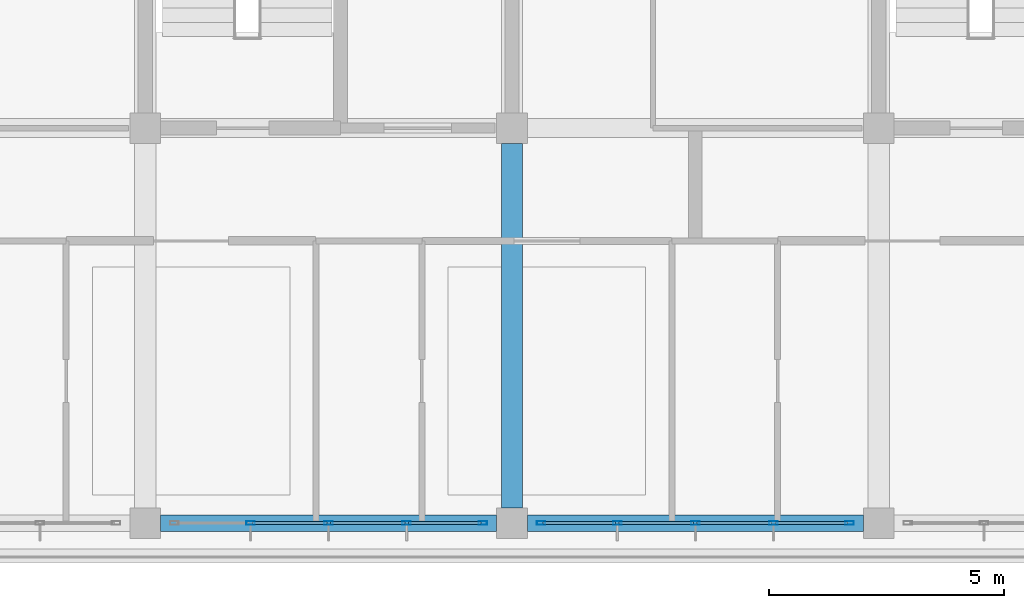
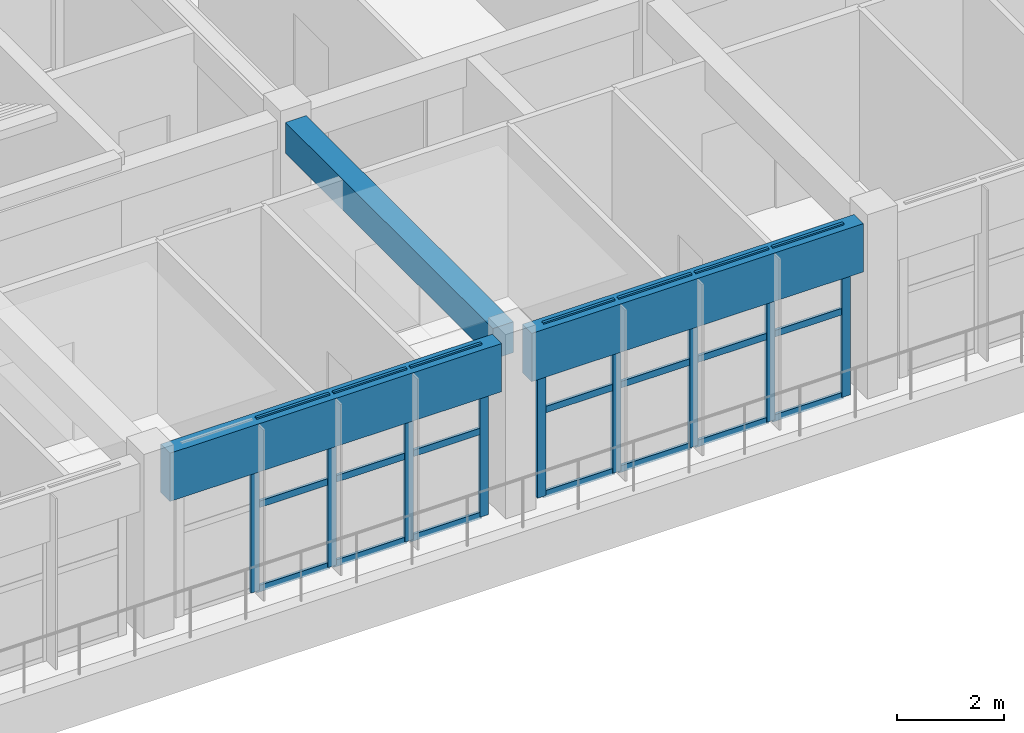
# One storey, part 15 of 63: 30 members, 3 beams, 2 elements without a shape of their own.
"""IFC4 building model written with IfcOpenShell, lengths in metres."""

from ifc_helpers import new_model, si_unit, direction, frame, origin, origin_2d, place, context, subcontext, project, spatial, rectangle, hollow_rectangle, extrude, material, layer, layer_set, material_profile, profile_set, type_object, element, aggregate, save


model = new_model("IFC4")

# Units and contexts
model_context = context("Model", 3, precision=1e-05, world=origin(), true_north=direction((0.0, 1.0)))
body_context = subcontext(model_context, "Body", "Model", "MODEL_VIEW")
ifc_project = project(units=[si_unit("LENGTHUNIT", "METRE"), si_unit("AREAUNIT", "SQUARE_METRE"), si_unit("VOLUMEUNIT", "CUBIC_METRE"), si_unit("PLANEANGLEUNIT", "RADIAN"), si_unit("MASSUNIT", "GRAM", prefix="KILO")], contexts=[model_context])

# Site, building, storey
site_placement = place(None, origin())
site = spatial("IfcSite", under=ifc_project, at=site_placement, CompositionType="ELEMENT")
building_placement = place(site_placement, origin())
building = spatial("IfcBuilding", under=site, at=building_placement, Name="Zizhar Promenade General Hospital", CompositionType="ELEMENT")
storey_placement = place(building_placement, frame((0.0, 0.0, 18.0)))
storey = spatial("IfcBuildingStorey", under=building, at=storey_placement, Name="L04", CompositionType="ELEMENT", Elevation=18.0)

# Beams
ifc_material_1 = material(Name="Precast concrete C40/50", Category="concrete")
ifc_material_profile_1 = material_profile(ifc_material_1, rectangle(XDim=0.35009765625, YDim=1.10009765625, at=origin_2d()))
ifc_profile_set_1 = profile_set([ifc_material_profile_1], Name="Precast concrete C40/50")
beam_type_1 = type_object("IfcBeamType", Name="BM-PC-BAND1100", PredefinedType="SPANDREL", material=ifc_profile_set_1)
beam_1_placement = place(storey_placement, frame((62.72509765625, 0.0, 3.360107421875), z_axis=(1.0, 0.0, 0.0), x_axis=(0.0, 1.0, 0.0)))
element("IfcBeam", 1, at=beam_1_placement, inside=storey, type_object=beam_type_1, Name="Grid Beam X L04 (8-0)", PredefinedType="SPANDREL", context=body_context, shape_type="SweptSolid", body=[
    extrude(rectangle(XDim=0.35009765625, YDim=1.10009765625, at=origin_2d()), origin(), (0.0, 0.0, 1.0), 7.14990234375),
])
beam_2_placement = place(storey_placement, frame((70.52490234375, 0.0, 3.360107421875), z_axis=(1.0, 0.0, 0.0), x_axis=(0.0, 1.0, 0.0)))
element("IfcBeam", 2, at=beam_2_placement, inside=storey, type_object=beam_type_1, Name="Grid Beam X L04 (9-0)", PredefinedType="SPANDREL", context=body_context, shape_type="SweptSolid", body=[
    extrude(rectangle(XDim=0.35009765625, YDim=1.10009765625, at=origin_2d()), origin(), (0.0, 0.0, 1.0), 7.150146484375),
])
ifc_material_2 = material(Name="Concrete C35/45", Category="concrete")
ifc_material_profile_2 = material_profile(ifc_material_2, rectangle(XDim=0.449951171875, YDim=0.699951171875, at=origin_2d()))
ifc_profile_set_2 = profile_set([ifc_material_profile_2], Name="Concrete C35/45")
beam_type_2 = type_object("IfcBeamType", Name="BM-RC-450x700", PredefinedType="BEAM", material=ifc_profile_set_2)
beam_3_placement = place(storey_placement, frame((70.199951171875, 0.324951171875, 3.56005859375), z_axis=(0.0, 1.0, 0.0), x_axis=(-1.0, 0.0, 0.0)))
element("IfcBeam", 3, at=beam_3_placement, inside=storey, type_object=beam_type_2, Name="Grid Beam Y L04 (9-0)", PredefinedType="BEAM", context=body_context, shape_type="SweptSolid", body=[
    extrude(rectangle(XDim=0.449951171875, YDim=0.699951171875, at=origin_2d()), origin(), (0.0, 0.0, 1.0), 7.75),
])

# Curtain wall, members
ifc_material_3 = material(Name="Anodised aluminium 6063-T6 and low-E glass", Category="aluminium")
ifc_layer = layer(ifc_material_3, 0.159912109375)
ifc_layer_set = layer_set([ifc_layer], Name="Anodised aluminium 6063-T6 and low-E glass")
curtain_wall_type = type_object("IfcCurtainWallType", Name="CW-WARD-RIB", PredefinedType="NOTDEFINED", material=ifc_layer_set)
curtain_wall_1_placement = place(storey_placement, origin())
curtain_wall_1 = element("IfcCurtainWall", 4, at=curtain_wall_1_placement, inside=storey, type_object=curtain_wall_type, Name="Ward Ribbon Curtain Wall L04-17-5", PredefinedType="NOTDEFINED")
ifc_material_4 = material(Name="Anodised aluminium 6063-T6", Category="aluminium")
ifc_material_profile_3 = material_profile(ifc_material_4, hollow_rectangle(XDim=0.080078125, YDim=0.179931640625, WallThickness=0.0048828125, at=origin_2d()))
ifc_profile_set_3 = profile_set([ifc_material_profile_3], Name="Anodised aluminium 6063-T6")
member_type_1 = type_object("IfcMemberType", Name="CWM-ALU-180x80", PredefinedType="MULLION", material=ifc_profile_set_3)
member_1_placement = place(storey_placement, frame((77.3798828125, 0.0, 0.0), z_axis=(0.0, 0.0, 1.0), x_axis=(0.0, -1.0, 0.0)))
member_1 = element("IfcMember", 5, at=member_1_placement, type_object=member_type_1, Name="CW-13 mullion 1", PredefinedType="MULLION", context=body_context, shape_type="SweptSolid", body=[
    extrude(hollow_rectangle(XDim=0.080078125, YDim=0.179931640625, WallThickness=0.0048828125, at=origin_2d()), origin(), (0.0, 0.0, 1.0), 3.89990234375),
])
member_2_placement = place(storey_placement, frame((75.760009765625, 0.0, 0.0), z_axis=(0.0, 0.0, 1.0), x_axis=(0.0, -1.0, 0.0)))
member_2 = element("IfcMember", 6, at=member_2_placement, type_object=member_type_1, Name="CW-13 mullion 2", PredefinedType="MULLION", context=body_context, shape_type="SweptSolid", body=[
    extrude(hollow_rectangle(XDim=0.080078125, YDim=0.179931640625, WallThickness=0.0048828125, at=origin_2d()), origin(), (0.0, 0.0, 1.0), 3.89990234375),
])
member_3_placement = place(storey_placement, frame((74.10009765625, 0.0, 0.0), z_axis=(0.0, 0.0, 1.0), x_axis=(0.0, -1.0, 0.0)))
member_3 = element("IfcMember", 7, at=member_3_placement, type_object=member_type_1, Name="CW-13 mullion 3", PredefinedType="MULLION", context=body_context, shape_type="SweptSolid", body=[
    extrude(hollow_rectangle(XDim=0.080078125, YDim=0.179931640625, WallThickness=0.0048828125, at=origin_2d()), origin(), (0.0, 0.0, 1.0), 3.89990234375),
])
member_4_placement = place(storey_placement, frame((72.43994140625, 0.0, 0.0), z_axis=(0.0, 0.0, 1.0), x_axis=(0.0, -1.0, 0.0)))
member_4 = element("IfcMember", 8, at=member_4_placement, type_object=member_type_1, Name="CW-13 mullion 4", PredefinedType="MULLION", context=body_context, shape_type="SweptSolid", body=[
    extrude(hollow_rectangle(XDim=0.080078125, YDim=0.179931640625, WallThickness=0.0048828125, at=origin_2d()), origin(), (0.0, 0.0, 1.0), 3.89990234375),
])
member_5_placement = place(storey_placement, frame((70.820068359375, 0.0, 0.0), z_axis=(0.0, 0.0, 1.0), x_axis=(0.0, -1.0, 0.0)))
member_5 = element("IfcMember", 9, at=member_5_placement, type_object=member_type_1, Name="CW-13 mullion 5", PredefinedType="MULLION", context=body_context, shape_type="SweptSolid", body=[
    extrude(hollow_rectangle(XDim=0.080078125, YDim=0.179931640625, WallThickness=0.0048828125, at=origin_2d()), origin(), (0.0, 0.0, 1.0), 3.89990234375),
])

curtain_wall_2_placement = place(storey_placement, origin())
curtain_wall_2 = element("IfcCurtainWall", 10, at=curtain_wall_2_placement, inside=storey, type_object=curtain_wall_type, Name="Ward Ribbon Curtain Wall L04-17-6", PredefinedType="NOTDEFINED")
member_6_placement = place(storey_placement, frame((69.580078125, 0.0, 0.0), z_axis=(0.0, 0.0, 1.0), x_axis=(0.0, -1.0, 0.0)))
member_6 = element("IfcMember", 11, at=member_6_placement, type_object=member_type_1, Name="CW-13 mullion 1", PredefinedType="MULLION", context=body_context, shape_type="SweptSolid", body=[
    extrude(hollow_rectangle(XDim=0.080078125, YDim=0.179931640625, WallThickness=0.0048828125, at=origin_2d()), origin(), (0.0, 0.0, 1.0), 3.89990234375),
])
member_7_placement = place(storey_placement, frame((67.9599609375, 0.0, 0.0), z_axis=(0.0, 0.0, 1.0), x_axis=(0.0, -1.0, 0.0)))
member_7 = element("IfcMember", 12, at=member_7_placement, type_object=member_type_1, Name="CW-13 mullion 2", PredefinedType="MULLION", context=body_context, shape_type="SweptSolid", body=[
    extrude(hollow_rectangle(XDim=0.080078125, YDim=0.179931640625, WallThickness=0.0048828125, at=origin_2d()), origin(), (0.0, 0.0, 1.0), 3.89990234375),
])
member_8_placement = place(storey_placement, frame((66.300048828125, 0.0, 0.0), z_axis=(0.0, 0.0, 1.0), x_axis=(0.0, -1.0, 0.0)))
member_8 = element("IfcMember", 13, at=member_8_placement, type_object=member_type_1, Name="CW-13 mullion 3", PredefinedType="MULLION", context=body_context, shape_type="SweptSolid", body=[
    extrude(hollow_rectangle(XDim=0.080078125, YDim=0.179931640625, WallThickness=0.0048828125, at=origin_2d()), origin(), (0.0, 0.0, 1.0), 3.89990234375),
])
member_9_placement = place(storey_placement, frame((64.639892578125, 0.0, 0.0), z_axis=(0.0, 0.0, 1.0), x_axis=(0.0, -1.0, 0.0)))
member_9 = element("IfcMember", 14, at=member_9_placement, type_object=member_type_1, Name="CW-13 mullion 4", PredefinedType="MULLION", context=body_context, shape_type="SweptSolid", body=[
    extrude(hollow_rectangle(XDim=0.080078125, YDim=0.179931640625, WallThickness=0.0048828125, at=origin_2d()), origin(), (0.0, 0.0, 1.0), 3.89990234375),
])

# Member
ifc_material_5 = material(Name="Anodised aluminium 6063-T6", Category="aluminium")
ifc_material_profile_4 = material_profile(ifc_material_5, hollow_rectangle(XDim=0.06005859375, YDim=0.14990234375, WallThickness=0.00390625, at=origin_2d()))
ifc_profile_set_4 = profile_set([ifc_material_profile_4], Name="Anodised aluminium 6063-T6")
member_type_2 = type_object("IfcMemberType", Name="CWT-ALU-150x60", PredefinedType="USERDEFINED", material=ifc_profile_set_4)
member_10_placement = place(storey_placement, frame((77.340087890625, 0.0, 0.030029296875), z_axis=(-1.0, 0.0, 0.0), x_axis=(0.0, -1.0, 0.0)))
member_10 = element("IfcMember", 15, at=member_10_placement, type_object=member_type_2, Name="CW-13 transom 1.1", ObjectType="TRANSOM", PredefinedType="USERDEFINED", context=body_context, shape_type="SweptSolid", body=[
    extrude(hollow_rectangle(XDim=0.06005859375, YDim=0.14990234375, WallThickness=0.00390625, at=origin_2d()), origin(), (0.0, 0.0, 1.0), 1.5400390625),
])

member_11_placement = place(storey_placement, frame((77.340087890625, 0.0, 1.949951171875), z_axis=(-1.0, 0.0, 0.0), x_axis=(0.0, -1.0, 0.0)))
member_11 = element("IfcMember", 16, at=member_11_placement, type_object=member_type_2, Name="CW-13 transom 1.2", ObjectType="TRANSOM", PredefinedType="USERDEFINED", context=body_context, shape_type="SweptSolid", body=[
    extrude(hollow_rectangle(XDim=0.06005859375, YDim=0.14990234375, WallThickness=0.00390625, at=origin_2d()), origin(), (0.0, 0.0, 1.0), 1.5400390625),
])

member_12_placement = place(storey_placement, frame((77.340087890625, 0.0, 3.8701171875), z_axis=(-1.0, 0.0, 0.0), x_axis=(0.0, -1.0, 0.0)))
member_12 = element("IfcMember", 17, at=member_12_placement, type_object=member_type_2, Name="CW-13 transom 1.3", ObjectType="TRANSOM", PredefinedType="USERDEFINED", context=body_context, shape_type="SweptSolid", body=[
    extrude(hollow_rectangle(XDim=0.06005859375, YDim=0.14990234375, WallThickness=0.00390625, at=origin_2d()), origin(), (0.0, 0.0, 1.0), 1.5400390625),
])

member_13_placement = place(storey_placement, frame((75.719970703125, 0.0, 0.030029296875), z_axis=(-1.0, 0.0, 0.0), x_axis=(0.0, -1.0, 0.0)))
member_13 = element("IfcMember", 18, at=member_13_placement, type_object=member_type_2, Name="CW-13 transom 2.1", ObjectType="TRANSOM", PredefinedType="USERDEFINED", context=body_context, shape_type="SweptSolid", body=[
    extrude(hollow_rectangle(XDim=0.06005859375, YDim=0.14990234375, WallThickness=0.00390625, at=origin_2d()), origin(), (0.0, 0.0, 1.0), 1.580078125),
])

member_14_placement = place(storey_placement, frame((75.719970703125, 0.0, 1.949951171875), z_axis=(-1.0, 0.0, 0.0), x_axis=(0.0, -1.0, 0.0)))
member_14 = element("IfcMember", 19, at=member_14_placement, type_object=member_type_2, Name="CW-13 transom 2.2", ObjectType="TRANSOM", PredefinedType="USERDEFINED", context=body_context, shape_type="SweptSolid", body=[
    extrude(hollow_rectangle(XDim=0.06005859375, YDim=0.14990234375, WallThickness=0.00390625, at=origin_2d()), origin(), (0.0, 0.0, 1.0), 1.580078125),
])

member_15_placement = place(storey_placement, frame((75.719970703125, 0.0, 3.8701171875), z_axis=(-1.0, 0.0, 0.0), x_axis=(0.0, -1.0, 0.0)))
member_15 = element("IfcMember", 20, at=member_15_placement, type_object=member_type_2, Name="CW-13 transom 2.3", ObjectType="TRANSOM", PredefinedType="USERDEFINED", context=body_context, shape_type="SweptSolid", body=[
    extrude(hollow_rectangle(XDim=0.06005859375, YDim=0.14990234375, WallThickness=0.00390625, at=origin_2d()), origin(), (0.0, 0.0, 1.0), 1.580078125),
])

member_16_placement = place(storey_placement, frame((74.06005859375, 0.0, 0.030029296875), z_axis=(-1.0, 0.0, 0.0), x_axis=(0.0, -1.0, 0.0)))
member_16 = element("IfcMember", 21, at=member_16_placement, type_object=member_type_2, Name="CW-13 transom 3.1", ObjectType="TRANSOM", PredefinedType="USERDEFINED", context=body_context, shape_type="SweptSolid", body=[
    extrude(hollow_rectangle(XDim=0.06005859375, YDim=0.14990234375, WallThickness=0.00390625, at=origin_2d()), origin(), (0.0, 0.0, 1.0), 1.580078125),
])

member_17_placement = place(storey_placement, frame((74.06005859375, 0.0, 1.949951171875), z_axis=(-1.0, 0.0, 0.0), x_axis=(0.0, -1.0, 0.0)))
member_17 = element("IfcMember", 22, at=member_17_placement, type_object=member_type_2, Name="CW-13 transom 3.2", ObjectType="TRANSOM", PredefinedType="USERDEFINED", context=body_context, shape_type="SweptSolid", body=[
    extrude(hollow_rectangle(XDim=0.06005859375, YDim=0.14990234375, WallThickness=0.00390625, at=origin_2d()), origin(), (0.0, 0.0, 1.0), 1.580078125),
])

member_18_placement = place(storey_placement, frame((74.06005859375, 0.0, 3.8701171875), z_axis=(-1.0, 0.0, 0.0), x_axis=(0.0, -1.0, 0.0)))
member_18 = element("IfcMember", 23, at=member_18_placement, type_object=member_type_2, Name="CW-13 transom 3.3", ObjectType="TRANSOM", PredefinedType="USERDEFINED", context=body_context, shape_type="SweptSolid", body=[
    extrude(hollow_rectangle(XDim=0.06005859375, YDim=0.14990234375, WallThickness=0.00390625, at=origin_2d()), origin(), (0.0, 0.0, 1.0), 1.580078125),
])

member_19_placement = place(storey_placement, frame((72.39990234375, 0.0, 0.030029296875), z_axis=(-1.0, 0.0, 0.0), x_axis=(0.0, -1.0, 0.0)))
member_19 = element("IfcMember", 24, at=member_19_placement, type_object=member_type_2, Name="CW-13 transom 4.1", ObjectType="TRANSOM", PredefinedType="USERDEFINED", context=body_context, shape_type="SweptSolid", body=[
    extrude(hollow_rectangle(XDim=0.06005859375, YDim=0.14990234375, WallThickness=0.00390625, at=origin_2d()), origin(), (0.0, 0.0, 1.0), 1.539794921875),
])

member_20_placement = place(storey_placement, frame((72.39990234375, 0.0, 1.949951171875), z_axis=(-1.0, 0.0, 0.0), x_axis=(0.0, -1.0, 0.0)))
member_20 = element("IfcMember", 25, at=member_20_placement, type_object=member_type_2, Name="CW-13 transom 4.2", ObjectType="TRANSOM", PredefinedType="USERDEFINED", context=body_context, shape_type="SweptSolid", body=[
    extrude(hollow_rectangle(XDim=0.06005859375, YDim=0.14990234375, WallThickness=0.00390625, at=origin_2d()), origin(), (0.0, 0.0, 1.0), 1.539794921875),
])

member_21_placement = place(storey_placement, frame((72.39990234375, 0.0, 3.8701171875), z_axis=(-1.0, 0.0, 0.0), x_axis=(0.0, -1.0, 0.0)))
member_21 = element("IfcMember", 26, at=member_21_placement, type_object=member_type_2, Name="CW-13 transom 4.3", ObjectType="TRANSOM", PredefinedType="USERDEFINED", context=body_context, shape_type="SweptSolid", body=[
    extrude(hollow_rectangle(XDim=0.06005859375, YDim=0.14990234375, WallThickness=0.00390625, at=origin_2d()), origin(), (0.0, 0.0, 1.0), 1.539794921875),
])

aggregate(curtain_wall_1, [member_1, member_2, member_3, member_4, member_5, member_10, member_11, member_12, member_13, member_14, member_15, member_16, member_17, member_18, member_19, member_20, member_21])

member_22_placement = place(storey_placement, frame((69.5400390625, 0.0, 0.030029296875), z_axis=(-1.0, 0.0, 0.0), x_axis=(0.0, -1.0, 0.0)))
member_22 = element("IfcMember", 27, at=member_22_placement, type_object=member_type_2, Name="CW-13 transom 1.1", ObjectType="TRANSOM", PredefinedType="USERDEFINED", context=body_context, shape_type="SweptSolid", body=[
    extrude(hollow_rectangle(XDim=0.06005859375, YDim=0.14990234375, WallThickness=0.00390625, at=origin_2d()), origin(), (0.0, 0.0, 1.0), 1.5400390625),
])

member_23_placement = place(storey_placement, frame((69.5400390625, 0.0, 1.949951171875), z_axis=(-1.0, 0.0, 0.0), x_axis=(0.0, -1.0, 0.0)))
member_23 = element("IfcMember", 28, at=member_23_placement, type_object=member_type_2, Name="CW-13 transom 1.2", ObjectType="TRANSOM", PredefinedType="USERDEFINED", context=body_context, shape_type="SweptSolid", body=[
    extrude(hollow_rectangle(XDim=0.06005859375, YDim=0.14990234375, WallThickness=0.00390625, at=origin_2d()), origin(), (0.0, 0.0, 1.0), 1.5400390625),
])

member_24_placement = place(storey_placement, frame((69.5400390625, 0.0, 3.8701171875), z_axis=(-1.0, 0.0, 0.0), x_axis=(0.0, -1.0, 0.0)))
member_24 = element("IfcMember", 29, at=member_24_placement, type_object=member_type_2, Name="CW-13 transom 1.3", ObjectType="TRANSOM", PredefinedType="USERDEFINED", context=body_context, shape_type="SweptSolid", body=[
    extrude(hollow_rectangle(XDim=0.06005859375, YDim=0.14990234375, WallThickness=0.00390625, at=origin_2d()), origin(), (0.0, 0.0, 1.0), 1.5400390625),
])

member_25_placement = place(storey_placement, frame((67.919921875, 0.0, 0.030029296875), z_axis=(-1.0, 0.0, 0.0), x_axis=(0.0, -1.0, 0.0)))
member_25 = element("IfcMember", 30, at=member_25_placement, type_object=member_type_2, Name="CW-13 transom 2.1", ObjectType="TRANSOM", PredefinedType="USERDEFINED", context=body_context, shape_type="SweptSolid", body=[
    extrude(hollow_rectangle(XDim=0.06005859375, YDim=0.14990234375, WallThickness=0.00390625, at=origin_2d()), origin(), (0.0, 0.0, 1.0), 1.579833984375),
])

member_26_placement = place(storey_placement, frame((67.919921875, 0.0, 1.949951171875), z_axis=(-1.0, 0.0, 0.0), x_axis=(0.0, -1.0, 0.0)))
member_26 = element("IfcMember", 31, at=member_26_placement, type_object=member_type_2, Name="CW-13 transom 2.2", ObjectType="TRANSOM", PredefinedType="USERDEFINED", context=body_context, shape_type="SweptSolid", body=[
    extrude(hollow_rectangle(XDim=0.06005859375, YDim=0.14990234375, WallThickness=0.00390625, at=origin_2d()), origin(), (0.0, 0.0, 1.0), 1.579833984375),
])

member_27_placement = place(storey_placement, frame((67.919921875, 0.0, 3.8701171875), z_axis=(-1.0, 0.0, 0.0), x_axis=(0.0, -1.0, 0.0)))
member_27 = element("IfcMember", 32, at=member_27_placement, type_object=member_type_2, Name="CW-13 transom 2.3", ObjectType="TRANSOM", PredefinedType="USERDEFINED", context=body_context, shape_type="SweptSolid", body=[
    extrude(hollow_rectangle(XDim=0.06005859375, YDim=0.14990234375, WallThickness=0.00390625, at=origin_2d()), origin(), (0.0, 0.0, 1.0), 1.579833984375),
])

member_28_placement = place(storey_placement, frame((66.260009765625, 0.0, 0.030029296875), z_axis=(-1.0, 0.0, 0.0), x_axis=(0.0, -1.0, 0.0)))
member_28 = element("IfcMember", 33, at=member_28_placement, type_object=member_type_2, Name="CW-13 transom 3.1", ObjectType="TRANSOM", PredefinedType="USERDEFINED", context=body_context, shape_type="SweptSolid", body=[
    extrude(hollow_rectangle(XDim=0.06005859375, YDim=0.14990234375, WallThickness=0.00390625, at=origin_2d()), origin(), (0.0, 0.0, 1.0), 1.580078125),
])

member_29_placement = place(storey_placement, frame((66.260009765625, 0.0, 1.949951171875), z_axis=(-1.0, 0.0, 0.0), x_axis=(0.0, -1.0, 0.0)))
member_29 = element("IfcMember", 34, at=member_29_placement, type_object=member_type_2, Name="CW-13 transom 3.2", ObjectType="TRANSOM", PredefinedType="USERDEFINED", context=body_context, shape_type="SweptSolid", body=[
    extrude(hollow_rectangle(XDim=0.06005859375, YDim=0.14990234375, WallThickness=0.00390625, at=origin_2d()), origin(), (0.0, 0.0, 1.0), 1.580078125),
])

member_30_placement = place(storey_placement, frame((66.260009765625, 0.0, 3.8701171875), z_axis=(-1.0, 0.0, 0.0), x_axis=(0.0, -1.0, 0.0)))
member_30 = element("IfcMember", 35, at=member_30_placement, type_object=member_type_2, Name="CW-13 transom 3.3", ObjectType="TRANSOM", PredefinedType="USERDEFINED", context=body_context, shape_type="SweptSolid", body=[
    extrude(hollow_rectangle(XDim=0.06005859375, YDim=0.14990234375, WallThickness=0.00390625, at=origin_2d()), origin(), (0.0, 0.0, 1.0), 1.580078125),
])

aggregate(curtain_wall_2, [member_6, member_7, member_8, member_9, member_22, member_23, member_24, member_25, member_26, member_27, member_28, member_29, member_30])

save(model, "model.ifc")
